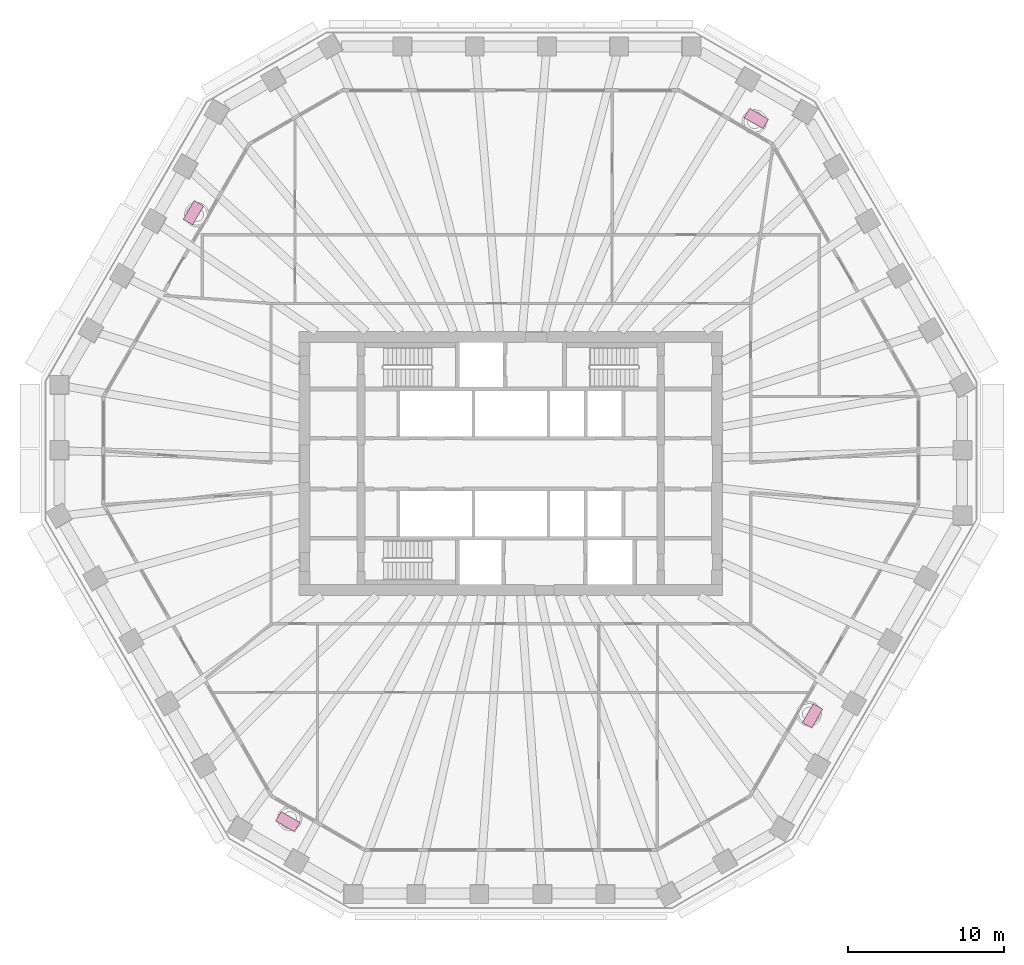
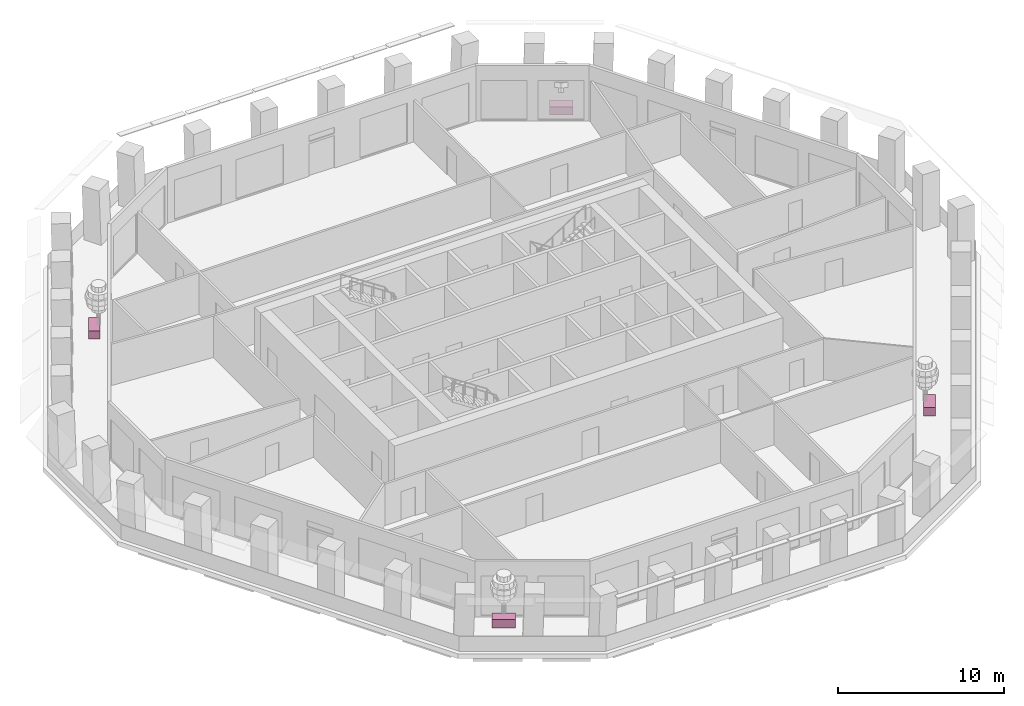
# One storey, part 11 of 12: 4 furniture elements.
"""IFC4 building model written with IfcOpenShell, lengths in metres."""

import ifcopenshell
import ifcopenshell.guid

model = None  # the IFC model being written
_history = None  # IfcOwnerHistory: only IFC2X3 demands one
_inside = {}  # id of a spatial element -> (the spatial element, [elements in it])
_under = {}  # id of a project, library or spatial element -> (it, [spatial elements below it])
_declared = {}  # id of a project -> (the project, [libraries it declares])
_typed = {}  # id of a type object -> (the type object, [elements of that type])
_made_of = {}  # id of a material, layer set ... -> (it, [elements and type objects made of it])


def new_model(schema):
    """Start an empty IFC model of exactly this schema.

    Asked for "IFC4X3", IfcOpenShell would pick the latest addendum, in which some entities
    have other attributes; the version numbers below select the first issue.
    IFC2X3 requires an IfcOwnerHistory on every rooted entity: one is made here for all.
    """
    global model, _history
    if schema == "IFC4X3":
        model = ifcopenshell.file(schema_version=(4, 3, 0, 0))
    else:
        model = ifcopenshell.file(schema=schema)
    _inside.clear()
    _under.clear()
    _declared.clear()
    _typed.clear()
    _made_of.clear()
    _history = None
    if model.schema == "IFC2X3":
        org = make("IfcOrganization", Name="unknown")
        user = make(
            "IfcPersonAndOrganization",
            ThePerson=make("IfcPerson", FamilyName="unknown"),
            TheOrganization=org,
        )
        app = make(
            "IfcApplication",
            ApplicationDeveloper=org,
            Version="unknown",
            ApplicationFullName="unknown",
            ApplicationIdentifier="unknown",
        )
        _history = make(
            "IfcOwnerHistory",
            OwningUser=user,
            OwningApplication=app,
            ChangeAction="ADDED",
            CreationDate=0,
        )
    return model


def make(cls, **values):
    """One entity of the class cls with the attributes given. An attribute that is None is left unset."""
    return model.create_entity(
        cls, **{name: value for name, value in values.items() if value is not None}
    )


def rooted(cls, **values):
    """An entity with a GlobalId (a new one), such as an element, a storey or a relation."""
    return make(cls, GlobalId=ifcopenshell.guid.new(), OwnerHistory=_history, **values)


def si_unit(unit_type, name, prefix=None):
    """IfcSIUnit, for example si_unit("LENGTHUNIT", "METRE", prefix="MILLI")."""
    return make("IfcSIUnit", UnitType=unit_type, Prefix=prefix, Name=name)


def assignment(units):
    """IfcUnitAssignment: the units of a project."""
    return None if units is None else make("IfcUnitAssignment", Units=units)


def point(xyz):
    """IfcCartesianPoint."""
    return None if xyz is None else make("IfcCartesianPoint", Coordinates=xyz)


def direction(xyz):
    """IfcDirection."""
    return None if xyz is None else make("IfcDirection", DirectionRatios=xyz)


def frame(location, z_axis=None, x_axis=None):
    """IfcAxis2Placement3D, a coordinate frame: its origin and axes. An axis left out is left unset."""
    return make(
        "IfcAxis2Placement3D",
        Location=point(location),
        Axis=direction(z_axis),
        RefDirection=direction(x_axis),
    )


def frame_2d(location, x_axis=None):
    """IfcAxis2Placement2D, a coordinate frame in the plane: its origin and x axis."""
    return make(
        "IfcAxis2Placement2D", Location=point(location), RefDirection=direction(x_axis)
    )


def origin():
    """The frame at (0, 0, 0) with its axes left unset."""
    return frame((0.0, 0.0, 0.0))


def origin_2d():
    """The frame at (0, 0) in the plane with its x axis left unset."""
    return frame_2d((0.0, 0.0))


def place(relative_to, where):
    """IfcLocalPlacement: puts the frame where relative to a parent placement (None: the world)."""
    return make(
        "IfcLocalPlacement", PlacementRelTo=relative_to, RelativePlacement=where
    )


def context(
    kind, dimensions, precision=None, world=None, true_north=None, identifier=None
):
    """IfcGeometricRepresentationContext, for example the 3D "Model" context."""
    return make(
        "IfcGeometricRepresentationContext",
        ContextIdentifier=identifier,
        ContextType=kind,
        CoordinateSpaceDimension=dimensions,
        Precision=precision,
        WorldCoordinateSystem=world,
        TrueNorth=true_north,
    )


def subcontext(parent, identifier, kind, view, scale=None):
    """IfcGeometricRepresentationSubContext, for example "Body" below "Model"."""
    return make(
        "IfcGeometricRepresentationSubContext",
        ContextIdentifier=identifier,
        ContextType=kind,
        ParentContext=parent,
        TargetScale=scale,
        TargetView=view,
    )


def project(units=None, contexts=None):
    """IfcProject with its units and contexts."""
    return rooted(
        "IfcProject",
        Name="project",
        RepresentationContexts=contexts,
        UnitsInContext=assignment(units),
    )


def spatial(cls, under=None, at=None, **own):
    """A site, building, storey or space (cls), placed at a placement, below another one or the project."""
    s = rooted(cls, ObjectPlacement=at, **own)
    if under is not None:
        _under.setdefault(under.id(), (under, []))[1].append(s)
    return s


def profile(cls, at=None, kind="AREA", **sizes):
    """A parametric profile (cls). Its sizes go by their IFC names, for example OverallWidth=200.0."""
    return make(cls, ProfileType=kind, Position=at, **sizes)


def rectangle(**sizes):
    """IfcRectangleProfileDef."""
    return profile("IfcRectangleProfileDef", **sizes)


def extrude(swept, where, along, depth):
    """IfcExtrudedAreaSolid: the profile swept, set in the frame where, extruded along a direction by depth."""
    return make(
        "IfcExtrudedAreaSolid",
        SweptArea=swept,
        Position=where,
        ExtrudedDirection=direction(along),
        Depth=depth,
    )


def shape(context_of_items, identifier, shape_type, items):
    """IfcShapeRepresentation: the items that make up one representation, for example the "Body"."""
    return make(
        "IfcShapeRepresentation",
        ContextOfItems=context_of_items,
        RepresentationIdentifier=identifier,
        RepresentationType=shape_type,
        Items=items,
    )


def material(Name=None, Category=None):
    """IfcMaterial."""
    return make("IfcMaterial", Name=Name, Category=Category)


def made_of(thing, what):
    """Note that an element or type object is made of a material, layer set ...; save() writes the relation."""
    if what is not None:
        _made_of.setdefault(what.id(), (what, []))[1].append(thing)
    return thing


def type_object(cls, material=None, **own):
    """A type object (cls), such as IfcWallType, which elements share."""
    return made_of(rooted(cls, **own), material)


def element(
    cls,
    number,
    at=None,
    inside=None,
    cuts=None,
    type_object=None,
    material=None,
    context=None,
    identifier="Body",
    shape_type=None,
    held_by="IfcProductDefinitionShape",
    body=None,
    shapes=None,
    **own,
):
    """One element of the class cls, such as IfcWall. Its Tag is "e" and its number.

    at: its placement. inside: the storey or other place that contains it. cuts: it is an
    opening in that element (IfcRelVoidsElement). A single representation is given by context,
    identifier, shape_type and body (its items); several are given by shapes. held_by: the class
    of the entity that holds the representations. save() writes the other relations.
    """
    e = rooted(cls, Tag="e%d" % number, ObjectPlacement=at, **own)
    if body is not None:
        shapes = [shape(context, identifier, shape_type, body)]
    if shapes is not None:
        e.Representation = make(held_by, Representations=shapes)
    if inside is not None:
        _inside.setdefault(inside.id(), (inside, []))[1].append(e)
    if cuts is not None:
        rooted(
            "IfcRelVoidsElement", RelatingBuildingElement=cuts, RelatedOpeningElement=e
        )
    if type_object is not None:
        _typed.setdefault(type_object.id(), (type_object, []))[1].append(e)
    return made_of(e, material)


def aggregate(whole, parts):
    """IfcRelAggregates: a whole, such as a stair, and the parts it consists of."""
    return rooted("IfcRelAggregates", RelatingObject=whole, RelatedObjects=parts)


def save(model, path):
    """Write the relations noted so far, then the file.

    IfcRelAggregates (storeys below a building ...), IfcRelContainedInSpatialStructure (elements
    in a storey), IfcRelDefinesByType, IfcRelAssociatesMaterial and IfcRelDeclares: one each for
    every whole, place, type object, material and project.
    """
    for whole, parts in _under.values():
        aggregate(whole, parts)
    for where, things in _inside.values():
        rooted(
            "IfcRelContainedInSpatialStructure",
            RelatedElements=things,
            RelatingStructure=where,
        )
    for kind, things in _typed.values():
        rooted("IfcRelDefinesByType", RelatedObjects=things, RelatingType=kind)
    for what, things in _made_of.values():
        rooted("IfcRelAssociatesMaterial", RelatedObjects=things, RelatingMaterial=what)
    for by, libraries in _declared.values():
        rooted("IfcRelDeclares", RelatingContext=by, RelatedDefinitions=libraries)
    model.write(path)


model = new_model("IFC4")

# Units and contexts
model_context = context("Model", 3, precision=1e-05, world=origin(), true_north=direction((0.0, 1.0)))
body_context = subcontext(model_context, "Body", "Model", "MODEL_VIEW")
ifc_project = project(units=[si_unit("LENGTHUNIT", "METRE"), si_unit("AREAUNIT", "SQUARE_METRE"), si_unit("VOLUMEUNIT", "CUBIC_METRE"), si_unit("PLANEANGLEUNIT", "RADIAN"), si_unit("MASSUNIT", "GRAM", prefix="KILO")], contexts=[model_context])

# Site, building, storey
site_placement = place(None, origin())
site = spatial("IfcSite", under=ifc_project, at=site_placement, CompositionType="ELEMENT")
building_placement = place(site_placement, origin())
building = spatial("IfcBuilding", under=site, at=building_placement, Name="Frailejon Research Tower", CompositionType="ELEMENT")
storey_placement = place(building_placement, frame((0.0, 0.0, 171.60009765625)))
storey = spatial("IfcBuildingStorey", under=building, at=storey_placement, Name="L37", CompositionType="ELEMENT", Elevation=171.60009765625)

# Furniture
ifc_material = material(Name="Precast concrete C30/37 planter, terracotta", Category="masonry")
furniture_type = type_object("IfcFurnitureType", Name="Loggia planter 1400x700", AssemblyPlace="NOTDEFINED", PredefinedType="USERDEFINED", material=ifc_material)
for number, where, z_axis, x_axis, name in (
    (1, (15.71435546875, 22.0947265625, -0.000244140625), (0.0, 0.0, 1.0), (-0.866025403784, 0.5, 0.0), "Planter L37"),
    (2, (-20.3203125, 16.063232421875, -0.000244140625), (0.0, 0.0, 1.0), (-0.5, -0.866025403784, 0.0), "Planter L37"),
    (3, (-14.27734375, -22.92431640625, -0.000244140625), (0.0, 0.0, 1.0), (0.866025403784, -0.5, 0.0), "Planter L37"),
    (4, (19.314453125, -16.146240234375, -0.000244140625), (0.0, 0.0, 1.0), (0.5, 0.866025403784, 0.0), "Planter L37"),
):
    element("IfcFurniture", number, at=place(storey_placement, frame(where, z_axis=z_axis, x_axis=x_axis)), inside=storey, type_object=furniture_type, Name=name, ObjectType="PLANTER", PredefinedType="USERDEFINED", context=body_context, shape_type="SweptSolid", body=[
        extrude(rectangle(XDim=1.39990234375, YDim=0.699951171875, at=origin_2d()), origin(), (0.0, 0.0, 1.0), 0.60009765625),
    ])

save(model, "model.ifc")
